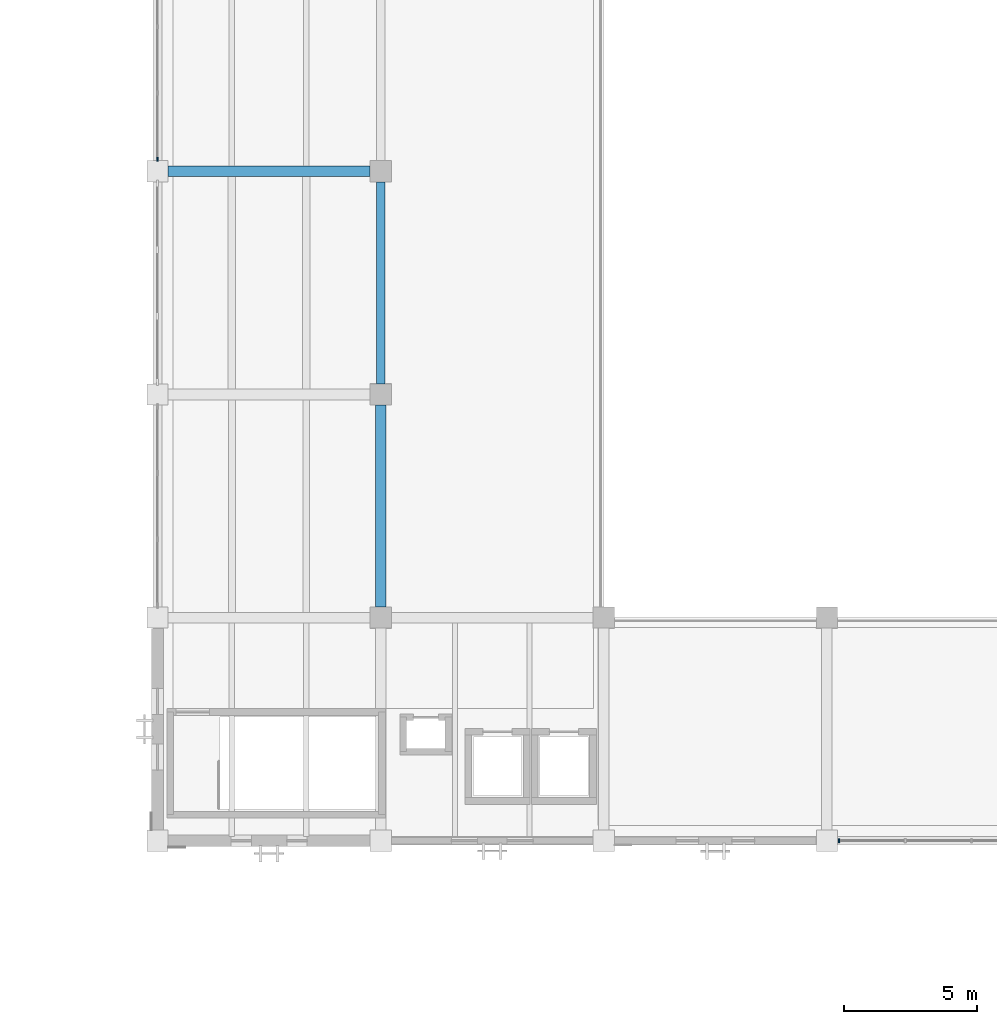
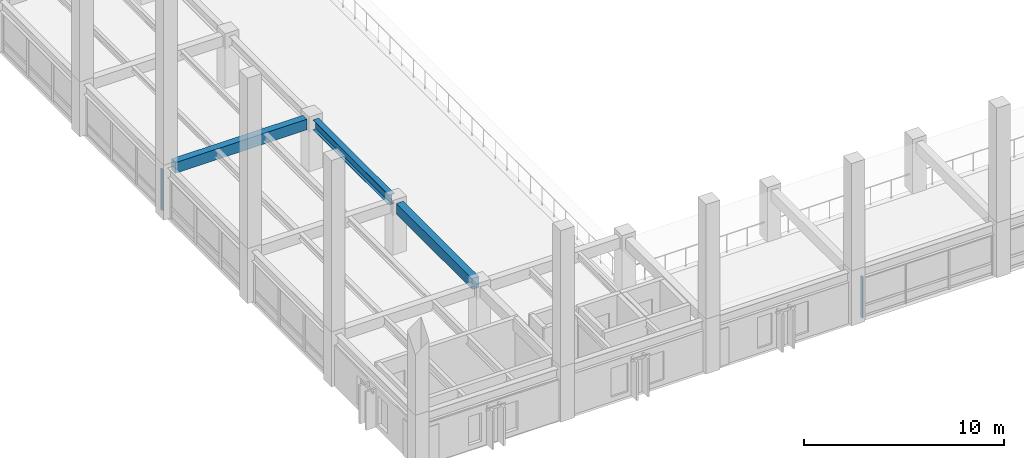
# One storey, part 3 of 64: 3 beams, 2 members, 2 elements without a shape of their own.
"""IFC4 building model written with IfcOpenShell, lengths in metres."""

from ifc_helpers import new_model, si_unit, direction, frame, origin, origin_2d, place, context, subcontext, project, spatial, rectangle, i_section, extrude, material, material_profile, profile_set, type_object, element, aggregate, save


model = new_model("IFC4")

# Units and contexts
model_context = context("Model", 3, precision=1e-05, world=origin(), true_north=direction((0.0, 1.0)))
body_context = subcontext(model_context, "Body", "Model", "MODEL_VIEW")
ifc_project = project(units=[si_unit("LENGTHUNIT", "METRE"), si_unit("AREAUNIT", "SQUARE_METRE"), si_unit("VOLUMEUNIT", "CUBIC_METRE"), si_unit("PLANEANGLEUNIT", "RADIAN"), si_unit("MASSUNIT", "GRAM", prefix="KILO")], contexts=[model_context])

# Site, building, storey
site_placement = place(None, origin())
site = spatial("IfcSite", under=ifc_project, at=site_placement, CompositionType="ELEMENT")
building_placement = place(site_placement, origin())
building = spatial("IfcBuilding", under=site, at=building_placement, Name="Cumbredor Promenade Congress Hotel", CompositionType="ELEMENT")
storey_placement = place(building_placement, frame((0.0, 0.0, 18.47998046875)))
storey = spatial("IfcBuildingStorey", under=building, at=storey_placement, Name="L05", CompositionType="ELEMENT", Elevation=18.47998046875)

# Beams
ifc_material_1 = material(Name="Concrete C40/50", Category="concrete")
ifc_material_profile_1 = material_profile(ifc_material_1, rectangle(XDim=0.39990234375, YDim=0.64990234375, at=origin_2d()), Name="RC BEAM 400x650")
ifc_profile_set_1 = profile_set([ifc_material_profile_1], Name="Concrete C40/50")
beam_type_1 = type_object("IfcBeamType", Name="BM-RC-400x650", PredefinedType="BEAM", material=ifc_profile_set_1)
beam_1_placement = place(storey_placement, frame((8.800048828125, 33.60009765625, 2.794921875), z_axis=(1.0, 0.0, 0.0), x_axis=(0.0, 1.0, 0.0)))
element("IfcBeam", 1, at=beam_1_placement, inside=storey, type_object=beam_type_1, Name="L06 X-Grid Beam 014", PredefinedType="BEAM", context=body_context, shape_type="SweptSolid", body=[
    extrude(rectangle(XDim=0.39990234375, YDim=0.64990234375, at=origin_2d()), origin(), (0.0, 0.0, 1.0), 7.599853515625),
])
beam_2_placement = place(storey_placement, frame((16.800048828125, 17.199951171875, 2.794921875), z_axis=(0.0, 1.0, 0.0), x_axis=(-1.0, 0.0, 0.0)))
element("IfcBeam", 2, at=beam_2_placement, inside=storey, type_object=beam_type_1, Name="L06 Y-Grid Beam 033", PredefinedType="BEAM", context=body_context, shape_type="SweptSolid", body=[
    extrude(rectangle(XDim=0.39990234375, YDim=0.64990234375, at=origin_2d()), origin(), (0.0, 0.0, 1.0), 7.60009765625),
])

# Curtain wall, member
ifc_material_2 = material(Name="Thermally broken anodized aluminium and low-E glass", Category="aluminium")
curtain_wall_type = type_object("IfcCurtainWallType", Name="Unitised Bronze Curtain Wall CW-01", PredefinedType="NOTDEFINED", material=ifc_material_2)
curtain_wall_1_placement = place(storey_placement, origin())
curtain_wall_1 = element("IfcCurtainWall", 3, at=curtain_wall_1_placement, inside=storey, type_object=curtain_wall_type, Name="L05 Plenary Congress Hall South Curtain Wall 4", PredefinedType="NOTDEFINED")
ifc_material_3 = material(Name="Thermally broken anodized aluminium", Category="aluminium")
ifc_material_profile_2 = material_profile(ifc_material_3, rectangle(XDim=0.06494140625, YDim=0.159912109375, at=origin_2d()), Name="ALU MULLION 65x160")
ifc_profile_set_2 = profile_set([ifc_material_profile_2], Name="Thermally broken anodized aluminium")
member_type = type_object("IfcMemberType", Name="Curtain Wall Mullion ML-01", PredefinedType="MULLION", material=ifc_profile_set_2)
member_1_placement = place(storey_placement, frame((34.054931640625, 8.39990234375, -0.008056640625), z_axis=(0.0, 0.0, 1.0), x_axis=(1.0, 0.0, 0.0)))
member_1 = element("IfcMember", 4, at=member_1_placement, type_object=member_type, Name="L05 Plenary Congress Hall South Curtain Wall 4 Mullion 1", PredefinedType="MULLION", context=body_context, shape_type="SweptSolid", body=[
    extrude(rectangle(XDim=0.06494140625, YDim=0.159912109375, at=origin_2d()), origin(), (0.0, 0.0, 1.0), 2.510009765625),
])
aggregate(curtain_wall_1, [member_1])

curtain_wall_2_placement = place(storey_placement, origin())
curtain_wall_2 = element("IfcCurtainWall", 5, at=curtain_wall_2_placement, inside=storey, type_object=curtain_wall_type, Name="L05 Plenary Congress Hall West Curtain Wall 4", PredefinedType="NOTDEFINED")
member_2_placement = place(storey_placement, frame((8.39990234375, 34.054931640625, -0.008056640625), z_axis=(0.0, 0.0, 1.0), x_axis=(1.0, 0.0, 0.0)))
member_2 = element("IfcMember", 6, at=member_2_placement, type_object=member_type, Name="L05 Plenary Congress Hall West Curtain Wall 4 Mullion 1", PredefinedType="MULLION", context=body_context, shape_type="SweptSolid", body=[
    extrude(rectangle(XDim=0.06494140625, YDim=0.159912109375, at=origin_2d()), origin(), (0.0, 0.0, 1.0), 2.510009765625),
])
aggregate(curtain_wall_2, [member_2])

# Beam
ifc_material_4 = material(Name="Steel ASTM A992 Grade 50", Category="steel")
ifc_material_profile_3 = material_profile(ifc_material_4, i_section(OverallWidth=0.323974609375, OverallDepth=0.611083984375, WebThickness=0.0126953125, FlangeThickness=0.01904296875, at=origin_2d()), Name="W24X104")
ifc_profile_set_3 = profile_set([ifc_material_profile_3], Name="Steel ASTM A992 Grade 50")
beam_type_2 = type_object("IfcBeamType", Name="SP-W24X104", PredefinedType="SPANDREL", material=ifc_profile_set_3)
beam_3_placement = place(storey_placement, frame((16.800048828125, 25.60009765625, 2.814453125), z_axis=(0.0, 1.0, 0.0), x_axis=(-1.0, 0.0, 0.0)))
element("IfcBeam", 7, at=beam_3_placement, inside=storey, type_object=beam_type_2, Name="L06 Y-Grid Beam 034", PredefinedType="SPANDREL", context=body_context, shape_type="SweptSolid", body=[
    extrude(i_section(OverallWidth=0.323974609375, OverallDepth=0.611083984375, WebThickness=0.0126953125, FlangeThickness=0.01904296875, at=origin_2d()), origin(), (0.0, 0.0, 1.0), 7.599853515625),
])

save(model, "model.ifc")
